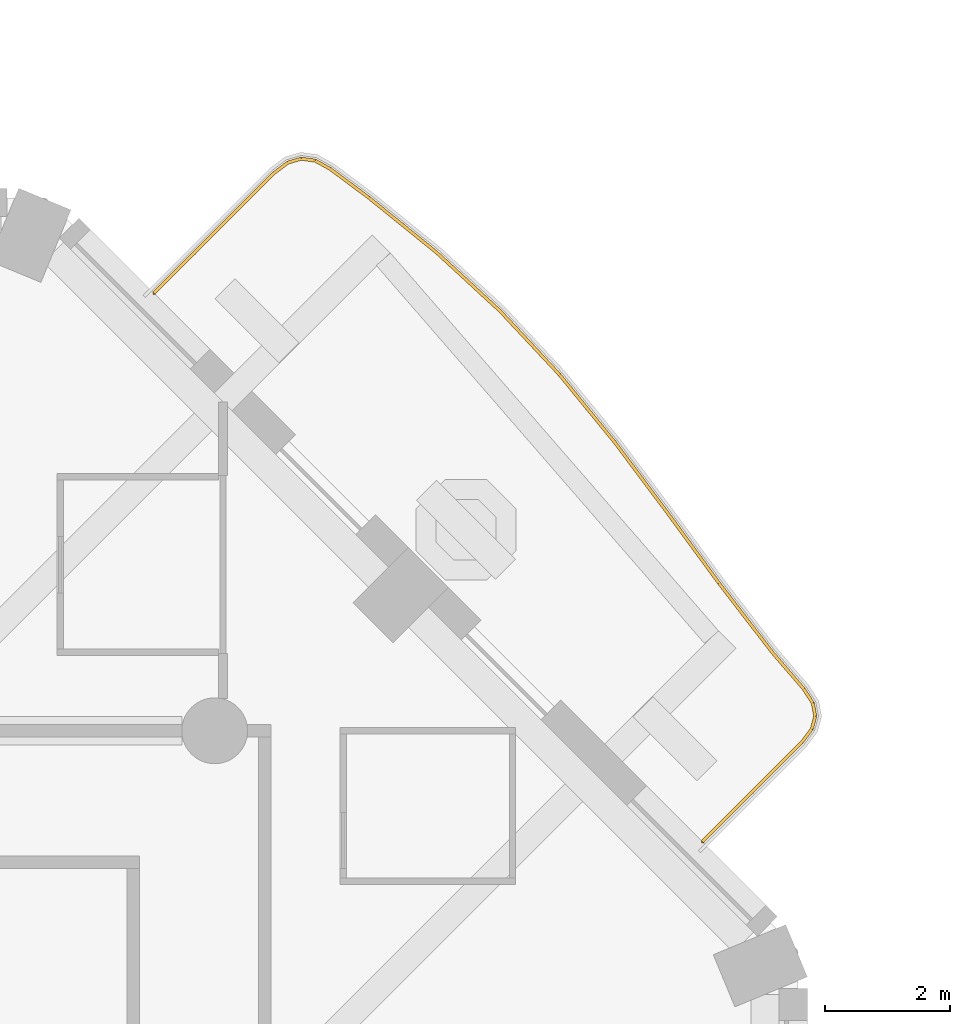
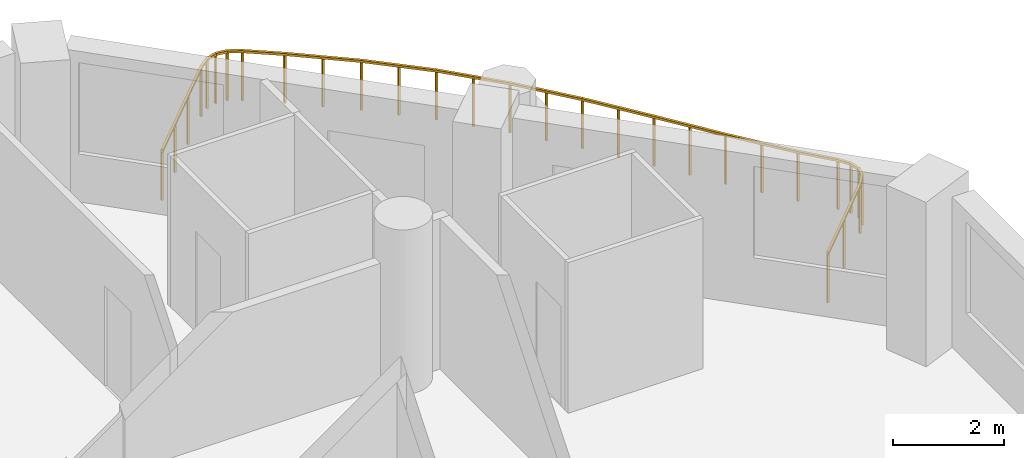
# One storey, part 19 of 20: 1 railing.
"""IFC4 building model written with IfcOpenShell, lengths in metres."""

from ifc_helpers import new_model, si_unit, direction, frame, origin, origin_2d, place, context, subcontext, project, spatial, rectangle, extrude, material, type_object, element, save


model = new_model("IFC4")

# Units and contexts
model_context = context("Model", 3, precision=1e-05, world=origin(), true_north=direction((0.0, 1.0)))
body_context = subcontext(model_context, "Body", "Model", "MODEL_VIEW")
ifc_project = project(units=[si_unit("LENGTHUNIT", "METRE"), si_unit("AREAUNIT", "SQUARE_METRE"), si_unit("VOLUMEUNIT", "CUBIC_METRE"), si_unit("PLANEANGLEUNIT", "RADIAN"), si_unit("MASSUNIT", "GRAM", prefix="KILO")], contexts=[model_context])

# Site, building, storey
site_placement = place(None, origin())
site = spatial("IfcSite", under=ifc_project, at=site_placement, CompositionType="ELEMENT")
building_placement = place(site_placement, origin())
building = spatial("IfcBuilding", under=site, at=building_placement, Name="Cypress Arch Tower", CompositionType="ELEMENT")
storey_placement = place(building_placement, frame((0.0, 0.0, 109.5)))
storey = spatial("IfcBuildingStorey", under=building, at=storey_placement, Name="L22", CompositionType="ELEMENT", Elevation=109.5)

# Railing
ifc_material = material(Name="Powder-coated steel posts and rods, 100 mm clear between rods", Category="steel")
railing_type = type_object("IfcRailingType", Name="Balcony guard GR1100", PredefinedType="GUARDRAIL", material=ifc_material)
railing_placement = place(storey_placement, frame((14.33251953125, 24.479736328125, 0.0)))
element("IfcRailing", 1, at=railing_placement, inside=storey, type_object=railing_type, Name="Balcony guard L22-A07", PredefinedType="GUARDRAIL", context=body_context, shape_type="SweptSolid", body=[
    extrude(rectangle(XDim=0.050048828125, YDim=0.050048828125, at=origin_2d()), frame((0.0, 0.0, 1.0751953125), z_axis=(0.707106781187, 0.707106781187, 0.0), x_axis=(-0.707106781187, 0.707106781187, 0.0)), (0.0, 0.0, 1.0), 2.7099609375),
    extrude(rectangle(XDim=0.050048828125, YDim=0.050048828125, at=origin_2d()), frame((1.916259765625, 1.916259765625, 1.0751953125), z_axis=(0.797079040856, 0.603874989239, 0.0), x_axis=(-0.603874989239, 0.797079040856, 0.0)), (0.0, 0.0, 1.0), 0.271728515625),
    extrude(rectangle(XDim=0.050048828125, YDim=0.050048828125, at=origin_2d()), frame((2.1328125, 2.080322265625, 1.0751953125), z_axis=(0.959608242578, 0.281339689301, 0.0), x_axis=(-0.281339689301, 0.959608242578, 0.0)), (0.0, 0.0, 1.0), 0.223876953125),
    extrude(rectangle(XDim=0.050048828125, YDim=0.050048828125, at=origin_2d()), frame((2.34765625, 2.143310546875, 1.0751953125), z_axis=(0.99023074259, -0.1394384324, 0.0), x_axis=(0.1394384324, 0.99023074259, 0.0)), (0.0, 0.0, 1.0), 0.22412109375),
    extrude(rectangle(XDim=0.050048828125, YDim=0.050048828125, at=origin_2d()), frame((2.569580078125, 2.112060546875, 1.0751953125), z_axis=(0.876481766202, -0.481435056384, 0.0), x_axis=(0.481435056384, 0.876481766202, 0.0)), (0.0, 0.0, 1.0), 0.271240234375),
    extrude(rectangle(XDim=0.050048828125, YDim=0.050048828125, at=origin_2d()), frame((2.807373046875, 1.9814453125, 1.0751953125), z_axis=(0.802250971452, -0.596986916778, 0.0), x_axis=(0.596986916778, 0.802250971452, 0.0)), (0.0, 0.0, 1.0), 0.765869140625),
    extrude(rectangle(XDim=0.050048828125, YDim=0.050048828125, at=origin_2d()), frame((3.421875, 1.524169921875, 1.0751953125), z_axis=(0.777535055697, -0.628839595734, 0.0), x_axis=(0.628839595734, 0.777535055697, 0.0)), (0.0, 0.0, 1.0), 1.390625),
    extrude(rectangle(XDim=0.050048828125, YDim=0.050048828125, at=origin_2d()), frame((4.503173828125, 0.649658203125, 1.0751953125), z_axis=(0.735290457077, -0.677752125582, 0.0), x_axis=(0.677752125582, 0.735290457077, 0.0)), (0.0, 0.0, 1.0), 1.38330078125),
    extrude(rectangle(XDim=0.050048828125, YDim=0.050048828125, at=origin_2d()), frame((5.520263671875, -0.287841796875, 1.0751953125), z_axis=(0.68268927879, -0.730708798787, 0.0), x_axis=(0.730708798787, 0.68268927879, 0.0)), (0.0, 0.0, 1.0), 1.3828125),
    extrude(rectangle(XDim=0.050048828125, YDim=0.050048828125, at=origin_2d()), frame((6.46435546875, -1.29833984375, 1.0751953125), z_axis=(0.632759362933, -0.774348493006, 0.0), x_axis=(0.774348493006, 0.632759362933, 0.0)), (0.0, 0.0, 1.0), 1.389892578125),
    extrude(rectangle(XDim=0.050048828125, YDim=0.050048828125, at=origin_2d()), frame((7.34375, -2.37451171875, 1.0751953125), z_axis=(0.598882292699, -0.800837061762, 0.0), x_axis=(0.800837061762, 0.598882292699, 0.0)), (0.0, 0.0, 1.0), 1.398681640625),
    extrude(rectangle(XDim=0.050048828125, YDim=0.050048828125, at=origin_2d()), frame((8.181396484375, -3.49462890625, 1.0751953125), z_axis=(0.590684204591, -0.806902825901, 0.0), x_axis=(0.806902825901, 0.590684204591, 0.0)), (0.0, 0.0, 1.0), 1.40234375),
    extrude(rectangle(XDim=0.050048828125, YDim=0.050048828125, at=origin_2d()), frame((9.009765625, -4.626220703125, 1.0751953125), z_axis=(0.610140698004, -0.792293082539, 0.0), x_axis=(0.792293082539, 0.610140698004, 0.0)), (0.0, 0.0, 1.0), 1.399169921875),
    extrude(rectangle(XDim=0.050048828125, YDim=0.050048828125, at=origin_2d()), frame((9.863525390625, -5.73486328125, 1.0751953125), z_axis=(0.652267599402, -0.757988772193, 0.0), x_axis=(0.757988772193, 0.652267599402, 0.0)), (0.0, 0.0, 1.0), 0.761962890625),
    extrude(rectangle(XDim=0.050048828125, YDim=0.050048828125, at=origin_2d()), frame((10.360595703125, -6.3125, 1.0751953125), z_axis=(0.540432932882, -0.841387095846, 0.0), x_axis=(0.841387095846, 0.540432932882, 0.0)), (0.0, 0.0, 1.0), 0.26611328125),
    extrude(rectangle(XDim=0.050048828125, YDim=0.050048828125, at=origin_2d()), frame((10.50439453125, -6.536376953125, 1.0751953125), z_axis=(0.189312658018, -0.981916858758, 0.0), x_axis=(0.981916858758, 0.189312658018, 0.0)), (0.0, 0.0, 1.0), 0.214111328125),
    extrude(rectangle(XDim=0.050048828125, YDim=0.050048828125, at=origin_2d()), frame((10.544921875, -6.74658203125, 1.0751953125), z_axis=(-0.262056749615, -0.965052464885, 0.0), x_axis=(0.965052464885, -0.262056749615, 0.0)), (0.0, 0.0, 1.0), 0.21435546875),
    extrude(rectangle(XDim=0.050048828125, YDim=0.050048828125, at=origin_2d()), frame((10.48876953125, -6.953369140625, 1.0751953125), z_axis=(-0.602053812431, -0.798455513437, 0.0), x_axis=(0.798455513437, -0.602053812431, 0.0)), (0.0, 0.0, 1.0), 0.26611328125),
    extrude(rectangle(XDim=0.050048828125, YDim=0.050048828125, at=origin_2d()), frame((10.32861328125, -7.165771484375, 1.0751953125), z_axis=(-0.707052197314, -0.707161360846, 0.0), x_axis=(0.707161360846, -0.707052197314, 0.0)), (0.0, 0.0, 1.0), 2.236572265625),
    extrude(rectangle(XDim=0.0400390625, YDim=0.0400390625, at=origin_2d()), origin(), (0.0, 0.0, 1.0), 1.050048828125),
    extrude(rectangle(XDim=0.0400390625, YDim=0.0400390625, at=origin_2d()), frame((0.638671875, 0.638671875, 0.0)), (0.0, 0.0, 1.0), 1.050048828125),
    extrude(rectangle(XDim=0.0400390625, YDim=0.0400390625, at=origin_2d()), frame((1.277587890625, 1.277587890625, 0.0)), (0.0, 0.0, 1.0), 1.050048828125),
    extrude(rectangle(XDim=0.0400390625, YDim=0.0400390625, at=origin_2d()), frame((1.916259765625, 1.916259765625, 0.0)), (0.0, 0.0, 1.0), 1.050048828125),
    extrude(rectangle(XDim=0.0400390625, YDim=0.0400390625, at=origin_2d()), frame((2.1328125, 2.080322265625, 0.0)), (0.0, 0.0, 1.0), 1.050048828125),
    extrude(rectangle(XDim=0.0400390625, YDim=0.0400390625, at=origin_2d()), frame((2.34765625, 2.143310546875, 0.0)), (0.0, 0.0, 1.0), 1.050048828125),
    extrude(rectangle(XDim=0.0400390625, YDim=0.0400390625, at=origin_2d()), frame((2.569580078125, 2.112060546875, 0.0)), (0.0, 0.0, 1.0), 1.050048828125),
    extrude(rectangle(XDim=0.0400390625, YDim=0.0400390625, at=origin_2d()), frame((2.807373046875, 1.9814453125, 0.0)), (0.0, 0.0, 1.0), 1.050048828125),
    extrude(rectangle(XDim=0.0400390625, YDim=0.0400390625, at=origin_2d()), frame((3.421875, 1.524169921875, 0.0)), (0.0, 0.0, 1.0), 1.050048828125),
    extrude(rectangle(XDim=0.0400390625, YDim=0.0400390625, at=origin_2d()), frame((3.96240234375, 1.0869140625, 0.0)), (0.0, 0.0, 1.0), 1.050048828125),
    extrude(rectangle(XDim=0.0400390625, YDim=0.0400390625, at=origin_2d()), frame((4.503173828125, 0.649658203125, 0.0)), (0.0, 0.0, 1.0), 1.050048828125),
    extrude(rectangle(XDim=0.0400390625, YDim=0.0400390625, at=origin_2d()), frame((5.01171875, 0.180908203125, 0.0)), (0.0, 0.0, 1.0), 1.050048828125),
    extrude(rectangle(XDim=0.0400390625, YDim=0.0400390625, at=origin_2d()), frame((5.520263671875, -0.287841796875, 0.0)), (0.0, 0.0, 1.0), 1.050048828125),
    extrude(rectangle(XDim=0.0400390625, YDim=0.0400390625, at=origin_2d()), frame((5.9921875, -0.79296875, 0.0)), (0.0, 0.0, 1.0), 1.050048828125),
    extrude(rectangle(XDim=0.0400390625, YDim=0.0400390625, at=origin_2d()), frame((6.46435546875, -1.29833984375, 0.0)), (0.0, 0.0, 1.0), 1.050048828125),
    extrude(rectangle(XDim=0.0400390625, YDim=0.0400390625, at=origin_2d()), frame((6.904052734375, -1.83642578125, 0.0)), (0.0, 0.0, 1.0), 1.050048828125),
    extrude(rectangle(XDim=0.0400390625, YDim=0.0400390625, at=origin_2d()), frame((7.34375, -2.37451171875, 0.0)), (0.0, 0.0, 1.0), 1.050048828125),
    extrude(rectangle(XDim=0.0400390625, YDim=0.0400390625, at=origin_2d()), frame((7.7626953125, -2.9345703125, 0.0)), (0.0, 0.0, 1.0), 1.050048828125),
    extrude(rectangle(XDim=0.0400390625, YDim=0.0400390625, at=origin_2d()), frame((8.181396484375, -3.49462890625, 0.0)), (0.0, 0.0, 1.0), 1.050048828125),
    extrude(rectangle(XDim=0.0400390625, YDim=0.0400390625, at=origin_2d()), frame((8.595703125, -4.060546875, 0.0)), (0.0, 0.0, 1.0), 1.050048828125),
    extrude(rectangle(XDim=0.0400390625, YDim=0.0400390625, at=origin_2d()), frame((9.009765625, -4.626220703125, 0.0)), (0.0, 0.0, 1.0), 1.050048828125),
    extrude(rectangle(XDim=0.0400390625, YDim=0.0400390625, at=origin_2d()), frame((9.4365234375, -5.1806640625, 0.0)), (0.0, 0.0, 1.0), 1.050048828125),
    extrude(rectangle(XDim=0.0400390625, YDim=0.0400390625, at=origin_2d()), frame((9.863525390625, -5.73486328125, 0.0)), (0.0, 0.0, 1.0), 1.050048828125),
    extrude(rectangle(XDim=0.0400390625, YDim=0.0400390625, at=origin_2d()), frame((10.360595703125, -6.3125, 0.0)), (0.0, 0.0, 1.0), 1.050048828125),
    extrude(rectangle(XDim=0.0400390625, YDim=0.0400390625, at=origin_2d()), frame((10.50439453125, -6.536376953125, 0.0)), (0.0, 0.0, 1.0), 1.050048828125),
    extrude(rectangle(XDim=0.0400390625, YDim=0.0400390625, at=origin_2d()), frame((10.544921875, -6.74658203125, 0.0)), (0.0, 0.0, 1.0), 1.050048828125),
    extrude(rectangle(XDim=0.0400390625, YDim=0.0400390625, at=origin_2d()), frame((10.48876953125, -6.953369140625, 0.0)), (0.0, 0.0, 1.0), 1.050048828125),
    extrude(rectangle(XDim=0.0400390625, YDim=0.0400390625, at=origin_2d()), frame((10.32861328125, -7.165771484375, 0.0)), (0.0, 0.0, 1.0), 1.050048828125),
    extrude(rectangle(XDim=0.0400390625, YDim=0.0400390625, at=origin_2d()), frame((9.5380859375, -7.95654296875, 0.0)), (0.0, 0.0, 1.0), 1.050048828125),
    extrude(rectangle(XDim=0.0400390625, YDim=0.0400390625, at=origin_2d()), frame((8.747314453125, -8.747314453125, 0.0)), (0.0, 0.0, 1.0), 1.050048828125),
])

save(model, "model.ifc")
